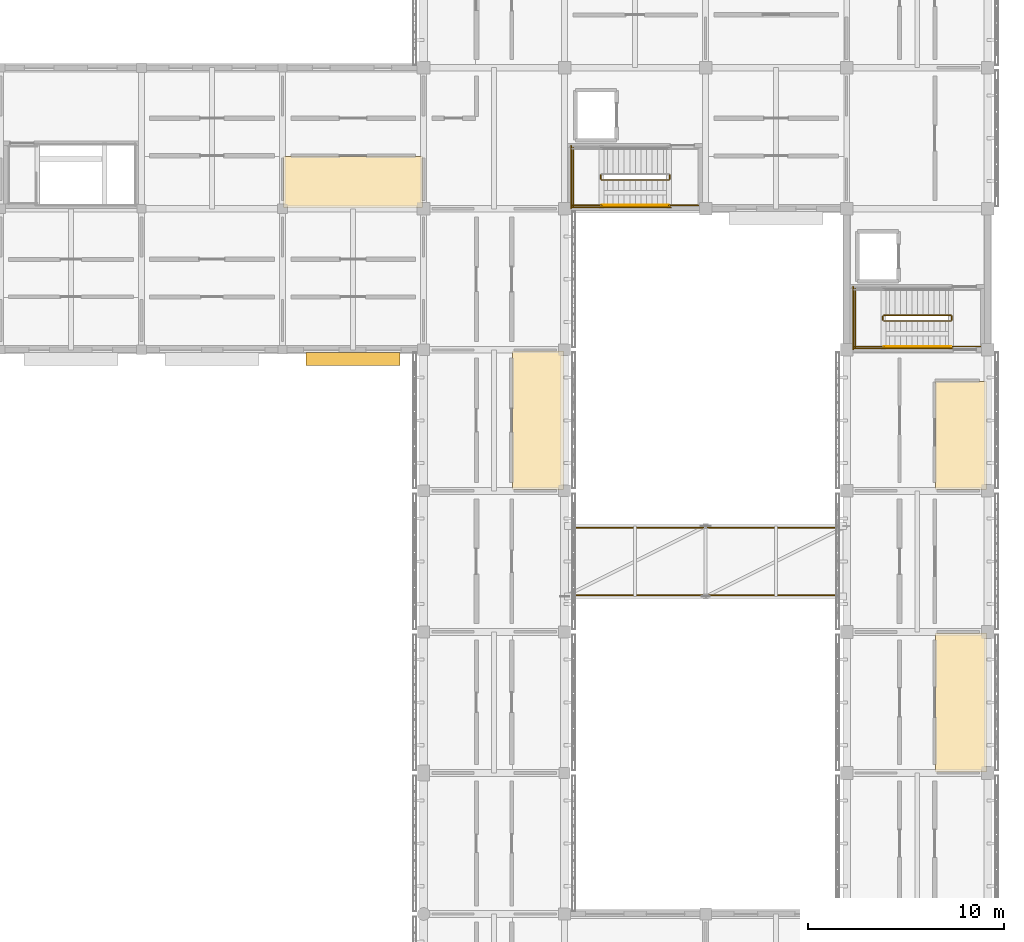
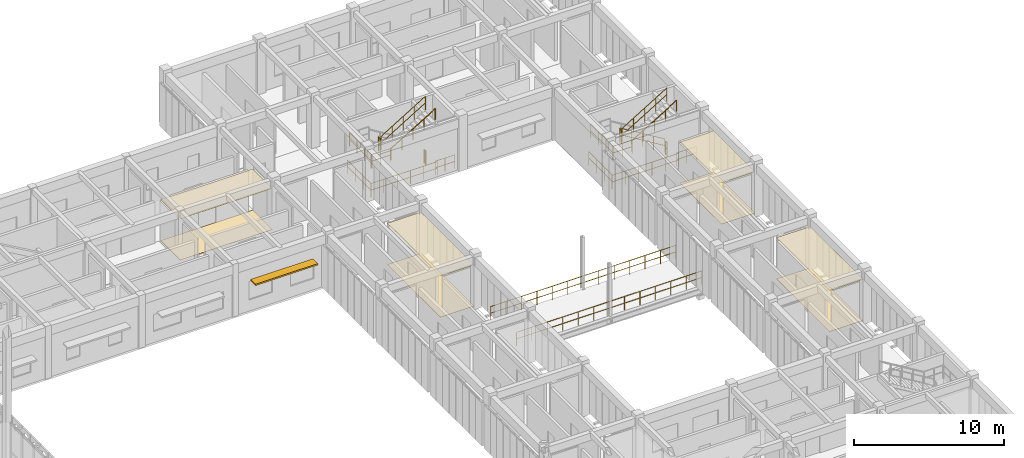
# One storey, part 170 of 171: 21 railings, 8 coverings, 1 shading device.
"""IFC4 building model written with IfcOpenShell, lengths in metres."""

from ifc_helpers import new_model, si_unit, direction, frame, origin, origin_2d, place, context, subcontext, project, spatial, polyline, rectangle, circle, outline, extrude, material, layer, layer_set, type_object, element, save


model = new_model("IFC4")

# Units and contexts
model_context = context("Model", 3, precision=1e-05, world=origin(), true_north=direction((0.0, 1.0)))
body_context = subcontext(model_context, "Body", "Model", "MODEL_VIEW")
ifc_project = project(units=[si_unit("LENGTHUNIT", "METRE"), si_unit("AREAUNIT", "SQUARE_METRE"), si_unit("VOLUMEUNIT", "CUBIC_METRE"), si_unit("PLANEANGLEUNIT", "RADIAN"), si_unit("MASSUNIT", "GRAM", prefix="KILO")], contexts=[model_context])

# Site, building, storey
site_placement = place(None, origin())
site = spatial("IfcSite", under=ifc_project, at=site_placement, CompositionType="ELEMENT")
building_placement = place(site_placement, origin())
building = spatial("IfcBuilding", under=site, at=building_placement, Name="Aldebral Square Health Centre", CompositionType="ELEMENT")
storey_placement = place(building_placement, frame((0.0, 0.0, 4.5)))
storey = spatial("IfcBuildingStorey", under=building, at=storey_placement, Name="L01", CompositionType="ELEMENT", Elevation=4.5)

# Coverings
ifc_material_1 = material(Name="Hygienic acoustic mineral ceiling tile")
ifc_layer_1 = layer(ifc_material_1, 0.02001953125, Name="Hygienic acoustic mineral ceiling tile")
ifc_layer_set_1 = layer_set([ifc_layer_1], Name="Hygienic acoustic mineral ceiling tile")
covering_type_1 = type_object("IfcCoveringType", Name="COV-CLG-AC", PredefinedType="CEILING", material=ifc_layer_set_1)
covering_1_placement = place(storey_placement, frame((0.0, 0.0, 3.340087890625)))
element("IfcCovering", 1, at=covering_1_placement, inside=storey, type_object=covering_type_1, Name="L01 Accessible WC 19.15S acoustic ceiling", PredefinedType="CEILING", context=body_context, shape_type="SweptSolid", body=[
    extrude(outline(polyline([(129.659912109375, 100.860107421875), (136.739990234375, 100.860107421875), (136.739990234375, 103.47998046875), (129.659912109375, 103.47998046875), (129.659912109375, 100.860107421875)])), origin(), (0.0, 0.0, 1.0), 0.02001953125),
])
covering_2_placement = place(storey_placement, frame((0.0, 0.0, 3.340087890625)))
element("IfcCovering", 2, at=covering_2_placement, inside=storey, type_object=covering_type_1, Name="L01 Maternal-Child Clinic 20.13E acoustic ceiling", PredefinedType="CEILING", context=body_context, shape_type="SweptSolid", body=[
    extrude(outline(polyline([(141.340087890625, 86.4599609375), (143.93994140625, 86.4599609375), (143.93994140625, 93.5400390625), (141.340087890625, 93.5400390625), (141.340087890625, 86.4599609375)])), origin(), (0.0, 0.0, 1.0), 0.02001953125),
])
covering_3_placement = place(storey_placement, frame((0.0, 0.0, 3.340087890625)))
element("IfcCovering", 3, at=covering_3_placement, inside=storey, type_object=covering_type_1, Name="L01 Patient Toilet 23.11E acoustic ceiling", PredefinedType="CEILING", context=body_context, shape_type="SweptSolid", body=[
    extrude(outline(polyline([(162.93994140625, 72.06005859375), (165.5400390625, 72.06005859375), (165.5400390625, 79.139892578125), (162.93994140625, 79.139892578125), (162.93994140625, 72.06005859375)])), origin(), (0.0, 0.0, 1.0), 0.02001953125),
])
covering_4_placement = place(storey_placement, frame((0.0, 0.0, 3.340087890625)))
element("IfcCovering", 4, at=covering_4_placement, inside=storey, type_object=covering_type_1, Name="L01 Maternal-Child Clinic 23.13E acoustic ceiling", PredefinedType="CEILING", context=body_context, shape_type="SweptSolid", body=[
    extrude(outline(polyline([(162.93994140625, 86.4599609375), (165.5400390625, 86.4599609375), (165.5400390625, 91.97998046875), (162.93994140625, 91.97998046875), (162.93994140625, 86.4599609375)])), origin(), (0.0, 0.0, 1.0), 0.02001953125),
])
ifc_material_2 = material(Name="Antimicrobial clinical vinyl flooring")
ifc_layer_2 = layer(ifc_material_2, 0.014892578125, Name="Antimicrobial clinical vinyl flooring")
ifc_layer_set_2 = layer_set([ifc_layer_2], Name="Antimicrobial clinical vinyl flooring")
covering_type_2 = type_object("IfcCoveringType", Name="COV-FLR-VN", PredefinedType="FLOORING", material=ifc_layer_set_2)
covering_5_placement = place(storey_placement, origin())
element("IfcCovering", 5, at=covering_5_placement, inside=storey, type_object=covering_type_2, Name="L01 Accessible WC 19.15S clinical flooring", PredefinedType="FLOORING", context=body_context, shape_type="SweptSolid", body=[
    extrude(outline(polyline([(129.659912109375, 100.860107421875), (136.739990234375, 100.860107421875), (136.739990234375, 103.47998046875), (129.659912109375, 103.47998046875), (129.659912109375, 100.860107421875)])), origin(), (0.0, 0.0, 1.0), 0.014892578125),
])
covering_6_placement = place(storey_placement, origin())
element("IfcCovering", 6, at=covering_6_placement, inside=storey, type_object=covering_type_2, Name="L01 Maternal-Child Clinic 20.13E clinical flooring", PredefinedType="FLOORING", context=body_context, shape_type="SweptSolid", body=[
    extrude(outline(polyline([(141.340087890625, 86.4599609375), (143.93994140625, 86.4599609375), (143.93994140625, 93.5400390625), (141.340087890625, 93.5400390625), (141.340087890625, 86.4599609375)])), origin(), (0.0, 0.0, 1.0), 0.014892578125),
])
covering_7_placement = place(storey_placement, origin())
element("IfcCovering", 7, at=covering_7_placement, inside=storey, type_object=covering_type_2, Name="L01 Patient Toilet 23.11E clinical flooring", PredefinedType="FLOORING", context=body_context, shape_type="SweptSolid", body=[
    extrude(outline(polyline([(162.93994140625, 72.06005859375), (165.5400390625, 72.06005859375), (165.5400390625, 79.139892578125), (162.93994140625, 79.139892578125), (162.93994140625, 72.06005859375)])), origin(), (0.0, 0.0, 1.0), 0.014892578125),
])
covering_8_placement = place(storey_placement, origin())
element("IfcCovering", 8, at=covering_8_placement, inside=storey, type_object=covering_type_2, Name="L01 Maternal-Child Clinic 23.13E clinical flooring", PredefinedType="FLOORING", context=body_context, shape_type="SweptSolid", body=[
    extrude(outline(polyline([(162.93994140625, 86.4599609375), (165.5400390625, 86.4599609375), (165.5400390625, 91.97998046875), (162.93994140625, 91.97998046875), (162.93994140625, 86.4599609375)])), origin(), (0.0, 0.0, 1.0), 0.014892578125),
])

# Railings
ifc_material_3 = material(Name="Cream cantera and steel balustrade", Category="steel")
railing_type_1 = type_object("IfcRailingType", Name="RL-EXT-BAL", PredefinedType="BALUSTRADE", material=ifc_material_3)
railing_1_placement = place(storey_placement, frame((144.080078125, 81.080078125, 0.0)))
element("IfcRailing", 9, at=railing_1_placement, inside=storey, type_object=railing_type_1, Name="East Light Court Bridge L01 balustrade S", PredefinedType="BALUSTRADE", context=body_context, shape_type="SweptSolid", body=[
    extrude(circle(Radius=0.02392578125, at=origin_2d()), frame((0.0, 0.0, 1.09619140625), z_axis=(1.0, 0.0, 0.0), x_axis=(0.0, 1.0, 0.0)), (0.0, 0.0, 1.0), 14.239990234375),
    extrude(circle(Radius=0.02392578125, at=origin_2d()), frame((0.0, 0.0, 0.56005859375), z_axis=(1.0, 0.0, 0.0), x_axis=(0.0, 1.0, 0.0)), (0.0, 0.0, 1.0), 14.239990234375),
    extrude(circle(Radius=0.02099609375, at=origin_2d()), origin(), (0.0, 0.0, 1.0), 1.072021484375),
    extrude(circle(Radius=0.02099609375, at=origin_2d()), frame((1.186767578125, 0.0, 0.0)), (0.0, 0.0, 1.0), 1.072021484375),
    extrude(circle(Radius=0.02099609375, at=origin_2d()), frame((2.373291015625, 0.0, 0.0)), (0.0, 0.0, 1.0), 1.072021484375),
    extrude(circle(Radius=0.02099609375, at=origin_2d()), frame((3.56005859375, 0.0, 0.0)), (0.0, 0.0, 1.0), 1.072021484375),
    extrude(circle(Radius=0.02099609375, at=origin_2d()), frame((4.74658203125, 0.0, 0.0)), (0.0, 0.0, 1.0), 1.072021484375),
    extrude(circle(Radius=0.02099609375, at=origin_2d()), frame((5.933349609375, 0.0, 0.0)), (0.0, 0.0, 1.0), 1.072021484375),
    extrude(circle(Radius=0.02099609375, at=origin_2d()), frame((7.1201171875, 0.0, 0.0)), (0.0, 0.0, 1.0), 1.072021484375),
    extrude(circle(Radius=0.02099609375, at=origin_2d()), frame((8.306640625, 0.0, 0.0)), (0.0, 0.0, 1.0), 1.072021484375),
    extrude(circle(Radius=0.02099609375, at=origin_2d()), frame((9.493408203125, 0.0, 0.0)), (0.0, 0.0, 1.0), 1.072021484375),
    extrude(circle(Radius=0.02099609375, at=origin_2d()), frame((10.679931640625, 0.0, 0.0)), (0.0, 0.0, 1.0), 1.072021484375),
    extrude(circle(Radius=0.02099609375, at=origin_2d()), frame((11.86669921875, 0.0, 0.0)), (0.0, 0.0, 1.0), 1.072021484375),
    extrude(circle(Radius=0.02099609375, at=origin_2d()), frame((13.05322265625, 0.0, 0.0)), (0.0, 0.0, 1.0), 1.072021484375),
    extrude(circle(Radius=0.02099609375, at=origin_2d()), frame((14.239990234375, 0.0, 0.0)), (0.0, 0.0, 1.0), 1.072021484375),
])
railing_2_placement = place(storey_placement, frame((144.080078125, 84.52001953125, 0.0)))
element("IfcRailing", 10, at=railing_2_placement, inside=storey, type_object=railing_type_1, Name="East Light Court Bridge L01 balustrade N", PredefinedType="BALUSTRADE", context=body_context, shape_type="SweptSolid", body=[
    extrude(circle(Radius=0.02392578125, at=origin_2d()), frame((0.0, 0.0, 1.09619140625), z_axis=(1.0, 0.0, 0.0), x_axis=(0.0, 1.0, 0.0)), (0.0, 0.0, 1.0), 14.239990234375),
    extrude(circle(Radius=0.02392578125, at=origin_2d()), frame((0.0, 0.0, 0.56005859375), z_axis=(1.0, 0.0, 0.0), x_axis=(0.0, 1.0, 0.0)), (0.0, 0.0, 1.0), 14.239990234375),
    extrude(circle(Radius=0.02099609375, at=origin_2d()), origin(), (0.0, 0.0, 1.0), 1.072021484375),
    extrude(circle(Radius=0.02099609375, at=origin_2d()), frame((1.186767578125, 0.0, 0.0)), (0.0, 0.0, 1.0), 1.072021484375),
    extrude(circle(Radius=0.02099609375, at=origin_2d()), frame((2.373291015625, 0.0, 0.0)), (0.0, 0.0, 1.0), 1.072021484375),
    extrude(circle(Radius=0.02099609375, at=origin_2d()), frame((3.56005859375, 0.0, 0.0)), (0.0, 0.0, 1.0), 1.072021484375),
    extrude(circle(Radius=0.02099609375, at=origin_2d()), frame((4.74658203125, 0.0, 0.0)), (0.0, 0.0, 1.0), 1.072021484375),
    extrude(circle(Radius=0.02099609375, at=origin_2d()), frame((5.933349609375, 0.0, 0.0)), (0.0, 0.0, 1.0), 1.072021484375),
    extrude(circle(Radius=0.02099609375, at=origin_2d()), frame((7.1201171875, 0.0, 0.0)), (0.0, 0.0, 1.0), 1.072021484375),
    extrude(circle(Radius=0.02099609375, at=origin_2d()), frame((8.306640625, 0.0, 0.0)), (0.0, 0.0, 1.0), 1.072021484375),
    extrude(circle(Radius=0.02099609375, at=origin_2d()), frame((9.493408203125, 0.0, 0.0)), (0.0, 0.0, 1.0), 1.072021484375),
    extrude(circle(Radius=0.02099609375, at=origin_2d()), frame((10.679931640625, 0.0, 0.0)), (0.0, 0.0, 1.0), 1.072021484375),
    extrude(circle(Radius=0.02099609375, at=origin_2d()), frame((11.86669921875, 0.0, 0.0)), (0.0, 0.0, 1.0), 1.072021484375),
    extrude(circle(Radius=0.02099609375, at=origin_2d()), frame((13.05322265625, 0.0, 0.0)), (0.0, 0.0, 1.0), 1.072021484375),
    extrude(circle(Radius=0.02099609375, at=origin_2d()), frame((14.239990234375, 0.0, 0.0)), (0.0, 0.0, 1.0), 1.072021484375),
])
ifc_material_4 = material(Name="Painted steel S355JR stair guard", Category="steel")
railing_type_2 = type_object("IfcRailingType", Name="RL-ST-GRD", PredefinedType="GUARDRAIL", material=ifc_material_4)
railing_3_placement = place(storey_placement, frame((163.719970703125, 95.3701171875, 0.173095703125)))
element("IfcRailing", 11, at=railing_3_placement, inside=storey, type_object=railing_type_2, Name="L01 ST-03 stair guard 1", PredefinedType="GUARDRAIL", context=body_context, shape_type="SweptSolid", body=[
    extrude(circle(Radius=0.02392578125, at=origin_2d()), frame((0.0, 0.0, 1.09619140625), z_axis=(-0.854729506542, 0.0, 0.519073665916), x_axis=(0.0, -1.0, 0.0)), (0.0, 0.0, 1.0), 4.001220703125),
    extrude(circle(Radius=0.02392578125, at=origin_2d()), frame((0.0, 0.0, 0.56005859375), z_axis=(-0.854729506542, 0.0, 0.519073665916), x_axis=(0.0, -1.0, 0.0)), (0.0, 0.0, 1.0), 4.001220703125),
    extrude(circle(Radius=0.02099609375, at=origin_2d()), origin(), (0.0, 0.0, 1.0), 1.072021484375),
    extrude(circle(Radius=0.02099609375, at=origin_2d()), frame((-0.85498046875, 0.0, 0.519287109375)), (0.0, 0.0, 1.0), 1.072021484375),
    extrude(circle(Radius=0.02099609375, at=origin_2d()), frame((-1.7099609375, 0.0, 1.03857421875)), (0.0, 0.0, 1.0), 1.072021484375),
    extrude(circle(Radius=0.02099609375, at=origin_2d()), frame((-2.56494140625, 0.0, 1.5576171875)), (0.0, 0.0, 1.0), 1.072021484375),
    extrude(circle(Radius=0.02099609375, at=origin_2d()), frame((-3.419921875, 0.0, 2.076904296875)), (0.0, 0.0, 1.0), 1.072021484375),
])
railing_4_placement = place(storey_placement, frame((160.25, 95.320068359375, 2.25)))
element("IfcRailing", 12, at=railing_4_placement, inside=storey, type_object=railing_type_2, Name="L01 ST-03 stair guard 2", PredefinedType="GUARDRAIL", context=body_context, shape_type="SweptSolid", body=[
    extrude(circle(Radius=0.02392578125, at=origin_2d()), frame((0.0, 0.0, 1.09619140625), z_axis=(0.0, -1.0, 0.0), x_axis=(1.0, 0.0, 0.0)), (0.0, 0.0, 1.0), 0.199951171875),
    extrude(circle(Radius=0.02392578125, at=origin_2d()), frame((0.0, 0.0, 0.56005859375), z_axis=(0.0, -1.0, 0.0), x_axis=(1.0, 0.0, 0.0)), (0.0, 0.0, 1.0), 0.199951171875),
    extrude(circle(Radius=0.02099609375, at=origin_2d()), origin(), (0.0, 0.0, 1.0), 1.072021484375),
    extrude(circle(Radius=0.02099609375, at=origin_2d()), frame((0.0, -0.199951171875, 0.0)), (0.0, 0.0, 1.0), 1.072021484375),
])
railing_5_placement = place(storey_placement, frame((160.300048828125, 93.77001953125, 2.25)))
element("IfcRailing", 13, at=railing_5_placement, inside=storey, type_object=railing_type_2, Name="L01 ST-03 stair guard 4", PredefinedType="GUARDRAIL", context=body_context, shape_type="SweptSolid", body=[
    extrude(circle(Radius=0.02392578125, at=origin_2d()), frame((0.0, 0.0, 1.09619140625), z_axis=(-1.0, 0.0, 0.0), x_axis=(0.0, -1.0, 0.0)), (0.0, 0.0, 1.0), 1.52001953125),
    extrude(circle(Radius=0.02392578125, at=origin_2d()), frame((0.0, 0.0, 0.56005859375), z_axis=(-1.0, 0.0, 0.0), x_axis=(0.0, -1.0, 0.0)), (0.0, 0.0, 1.0), 1.52001953125),
    extrude(circle(Radius=0.02099609375, at=origin_2d()), origin(), (0.0, 0.0, 1.0), 1.072021484375),
    extrude(circle(Radius=0.02099609375, at=origin_2d()), frame((-0.760009765625, 0.0, 0.0)), (0.0, 0.0, 1.0), 1.072021484375),
    extrude(circle(Radius=0.02099609375, at=origin_2d()), frame((-1.52001953125, 0.0, 0.0)), (0.0, 0.0, 1.0), 1.072021484375),
])
railing_6_placement = place(storey_placement, frame((158.830078125, 96.719970703125, 2.25)))
element("IfcRailing", 14, at=railing_6_placement, inside=storey, type_object=railing_type_2, Name="L01 ST-03 stair guard 5", PredefinedType="GUARDRAIL", context=body_context, shape_type="SweptSolid", body=[
    extrude(circle(Radius=0.02392578125, at=origin_2d()), frame((0.0, 0.0, 1.09619140625), z_axis=(0.0, -1.0, 0.0), x_axis=(1.0, 0.0, 0.0)), (0.0, 0.0, 1.0), 3.0),
    extrude(circle(Radius=0.02392578125, at=origin_2d()), frame((0.0, 0.0, 0.56005859375), z_axis=(0.0, -1.0, 0.0), x_axis=(1.0, 0.0, 0.0)), (0.0, 0.0, 1.0), 3.0),
    extrude(circle(Radius=0.02099609375, at=origin_2d()), origin(), (0.0, 0.0, 1.0), 1.072021484375),
    extrude(circle(Radius=0.02099609375, at=origin_2d()), frame((0.0, -1.0, 0.0)), (0.0, 0.0, 1.0), 1.072021484375),
    extrude(circle(Radius=0.02099609375, at=origin_2d()), frame((0.0, -2.0, 0.0)), (0.0, 0.0, 1.0), 1.072021484375),
    extrude(circle(Radius=0.02099609375, at=origin_2d()), frame((0.0, -3.0, 0.0)), (0.0, 0.0, 1.0), 1.072021484375),
])
railing_7_placement = place(storey_placement, frame((160.300048828125, 95.070068359375, 2.423095703125)))
element("IfcRailing", 15, at=railing_7_placement, inside=storey, type_object=railing_type_2, Name="L01 ST-03 stair guard 6", PredefinedType="GUARDRAIL", context=body_context, shape_type="SweptSolid", body=[
    extrude(circle(Radius=0.02392578125, at=origin_2d()), frame((0.0, 0.0, 1.09619140625), z_axis=(0.854729506542, 0.0, 0.519073665916), x_axis=(0.0, 1.0, 0.0)), (0.0, 0.0, 1.0), 4.001220703125),
    extrude(circle(Radius=0.02392578125, at=origin_2d()), frame((0.0, 0.0, 0.56005859375), z_axis=(0.854729506542, 0.0, 0.519073665916), x_axis=(0.0, 1.0, 0.0)), (0.0, 0.0, 1.0), 4.001220703125),
    extrude(circle(Radius=0.02099609375, at=origin_2d()), origin(), (0.0, 0.0, 1.0), 1.072021484375),
    extrude(circle(Radius=0.02099609375, at=origin_2d()), frame((0.85498046875, 0.0, 0.519287109375)), (0.0, 0.0, 1.0), 1.072021484375),
    extrude(circle(Radius=0.02099609375, at=origin_2d()), frame((1.7099609375, 0.0, 1.03857421875)), (0.0, 0.0, 1.0), 1.072021484375),
    extrude(circle(Radius=0.02099609375, at=origin_2d()), frame((2.56494140625, 0.0, 1.5576171875)), (0.0, 0.0, 1.0), 1.072021484375),
    extrude(circle(Radius=0.02099609375, at=origin_2d()), frame((3.419921875, 0.0, 2.076904296875)), (0.0, 0.0, 1.0), 1.072021484375),
])
railing_8_placement = place(storey_placement, frame((163.77001953125, 95.320068359375, 0.0)))
element("IfcRailing", 16, at=railing_8_placement, inside=storey, type_object=railing_type_2, Name="L01 ST-03 stair guard 7", PredefinedType="GUARDRAIL", context=body_context, shape_type="SweptSolid", body=[
    extrude(circle(Radius=0.02392578125, at=origin_2d()), frame((0.0, 0.0, 1.09619140625), z_axis=(0.0, -1.0, 0.0), x_axis=(1.0, 0.0, 0.0)), (0.0, 0.0, 1.0), 0.199951171875),
    extrude(circle(Radius=0.02392578125, at=origin_2d()), frame((0.0, 0.0, 0.56005859375), z_axis=(0.0, -1.0, 0.0), x_axis=(1.0, 0.0, 0.0)), (0.0, 0.0, 1.0), 0.199951171875),
    extrude(circle(Radius=0.02099609375, at=origin_2d()), origin(), (0.0, 0.0, 1.0), 1.072021484375),
    extrude(circle(Radius=0.02099609375, at=origin_2d()), frame((0.0, -0.199951171875, 0.0)), (0.0, 0.0, 1.0), 1.072021484375),
])
railing_9_placement = place(storey_placement, frame((165.219970703125, 93.77001953125, 0.0)))
element("IfcRailing", 17, at=railing_9_placement, inside=storey, type_object=railing_type_2, Name="L01 ST-03 stair guard 9", PredefinedType="GUARDRAIL", context=body_context, shape_type="SweptSolid", body=[
    extrude(circle(Radius=0.02392578125, at=origin_2d()), frame((0.0, 0.0, 1.09619140625), z_axis=(-1.0, 0.0, 0.0), x_axis=(0.0, -1.0, 0.0)), (0.0, 0.0, 1.0), 1.5),
    extrude(circle(Radius=0.02392578125, at=origin_2d()), frame((0.0, 0.0, 0.56005859375), z_axis=(-1.0, 0.0, 0.0), x_axis=(0.0, -1.0, 0.0)), (0.0, 0.0, 1.0), 1.5),
    extrude(circle(Radius=0.02099609375, at=origin_2d()), origin(), (0.0, 0.0, 1.0), 1.072021484375),
    extrude(circle(Radius=0.02099609375, at=origin_2d()), frame((-0.75, 0.0, 0.0)), (0.0, 0.0, 1.0), 1.072021484375),
    extrude(circle(Radius=0.02099609375, at=origin_2d()), frame((-1.5, 0.0, 0.0)), (0.0, 0.0, 1.0), 1.072021484375),
])
railing_10_placement = place(storey_placement, frame((163.820068359375, 93.669921875, 0.0)))
element("IfcRailing", 18, at=railing_10_placement, inside=storey, type_object=railing_type_2, Name="L01 ST-03 stair guard 11", PredefinedType="GUARDRAIL", context=body_context, shape_type="SweptSolid", body=[
    extrude(circle(Radius=0.02392578125, at=origin_2d()), frame((0.0, 0.0, 1.09619140625), z_axis=(-1.0, 0.0, 0.0), x_axis=(0.0, -1.0, 0.0)), (0.0, 0.0, 1.0), 5.14013671875),
    extrude(circle(Radius=0.02392578125, at=origin_2d()), frame((0.0, 0.0, 0.56005859375), z_axis=(-1.0, 0.0, 0.0), x_axis=(0.0, -1.0, 0.0)), (0.0, 0.0, 1.0), 5.14013671875),
    extrude(circle(Radius=0.02099609375, at=origin_2d()), origin(), (0.0, 0.0, 1.0), 1.072021484375),
    extrude(circle(Radius=0.02099609375, at=origin_2d()), frame((-1.028076171875, 0.0, 0.0)), (0.0, 0.0, 1.0), 1.072021484375),
    extrude(circle(Radius=0.02099609375, at=origin_2d()), frame((-2.05615234375, 0.0, 0.0)), (0.0, 0.0, 1.0), 1.072021484375),
    extrude(circle(Radius=0.02099609375, at=origin_2d()), frame((-3.083984375, 0.0, 0.0)), (0.0, 0.0, 1.0), 1.072021484375),
    extrude(circle(Radius=0.02099609375, at=origin_2d()), frame((-4.112060546875, 0.0, 0.0)), (0.0, 0.0, 1.0), 1.072021484375),
    extrude(circle(Radius=0.02099609375, at=origin_2d()), frame((-5.14013671875, 0.0, 0.0)), (0.0, 0.0, 1.0), 1.072021484375),
])
railing_11_placement = place(storey_placement, frame((158.72998046875, 96.820068359375, 0.0)))
element("IfcRailing", 19, at=railing_11_placement, inside=storey, type_object=railing_type_2, Name="L01 ST-03 stair guard 12", PredefinedType="GUARDRAIL", context=body_context, shape_type="SweptSolid", body=[
    extrude(circle(Radius=0.02392578125, at=origin_2d()), frame((0.0, 0.0, 1.09619140625), z_axis=(0.0, -1.0, 0.0), x_axis=(1.0, 0.0, 0.0)), (0.0, 0.0, 1.0), 3.199951171875),
    extrude(circle(Radius=0.02392578125, at=origin_2d()), frame((0.0, 0.0, 0.56005859375), z_axis=(0.0, -1.0, 0.0), x_axis=(1.0, 0.0, 0.0)), (0.0, 0.0, 1.0), 3.199951171875),
    extrude(circle(Radius=0.02099609375, at=origin_2d()), origin(), (0.0, 0.0, 1.0), 1.072021484375),
    extrude(circle(Radius=0.02099609375, at=origin_2d()), frame((0.0, -1.066650390625, 0.0)), (0.0, 0.0, 1.0), 1.072021484375),
    extrude(circle(Radius=0.02099609375, at=origin_2d()), frame((0.0, -2.13330078125, 0.0)), (0.0, 0.0, 1.0), 1.072021484375),
    extrude(circle(Radius=0.02099609375, at=origin_2d()), frame((0.0, -3.199951171875, 0.0)), (0.0, 0.0, 1.0), 1.072021484375),
])
railing_12_placement = place(storey_placement, frame((145.85009765625, 102.52001953125, 2.25)))
element("IfcRailing", 20, at=railing_12_placement, inside=storey, type_object=railing_type_2, Name="L01 ST-04 stair guard 2", PredefinedType="GUARDRAIL", context=body_context, shape_type="SweptSolid", body=[
    extrude(circle(Radius=0.02392578125, at=origin_2d()), frame((0.0, 0.0, 1.09619140625), z_axis=(0.0, -1.0, 0.0), x_axis=(1.0, 0.0, 0.0)), (0.0, 0.0, 1.0), 0.199951171875),
    extrude(circle(Radius=0.02392578125, at=origin_2d()), frame((0.0, 0.0, 0.56005859375), z_axis=(0.0, -1.0, 0.0), x_axis=(1.0, 0.0, 0.0)), (0.0, 0.0, 1.0), 0.199951171875),
    extrude(circle(Radius=0.02099609375, at=origin_2d()), origin(), (0.0, 0.0, 1.0), 1.072021484375),
    extrude(circle(Radius=0.02099609375, at=origin_2d()), frame((0.0, -0.199951171875, 0.0)), (0.0, 0.0, 1.0), 1.072021484375),
])
railing_13_placement = place(storey_placement, frame((145.89990234375, 100.969970703125, 2.25)))
element("IfcRailing", 21, at=railing_13_placement, inside=storey, type_object=railing_type_2, Name="L01 ST-04 stair guard 4", PredefinedType="GUARDRAIL", context=body_context, shape_type="SweptSolid", body=[
    extrude(circle(Radius=0.02392578125, at=origin_2d()), frame((0.0, 0.0, 1.09619140625), z_axis=(-1.0, 0.0, 0.0), x_axis=(0.0, -1.0, 0.0)), (0.0, 0.0, 1.0), 1.52001953125),
    extrude(circle(Radius=0.02392578125, at=origin_2d()), frame((0.0, 0.0, 0.56005859375), z_axis=(-1.0, 0.0, 0.0), x_axis=(0.0, -1.0, 0.0)), (0.0, 0.0, 1.0), 1.52001953125),
    extrude(circle(Radius=0.02099609375, at=origin_2d()), origin(), (0.0, 0.0, 1.0), 1.072021484375),
    extrude(circle(Radius=0.02099609375, at=origin_2d()), frame((-0.760009765625, 0.0, 0.0)), (0.0, 0.0, 1.0), 1.072021484375),
    extrude(circle(Radius=0.02099609375, at=origin_2d()), frame((-1.52001953125, 0.0, 0.0)), (0.0, 0.0, 1.0), 1.072021484375),
])
railing_14_placement = place(storey_placement, frame((144.429931640625, 103.919921875, 2.25)))
element("IfcRailing", 22, at=railing_14_placement, inside=storey, type_object=railing_type_2, Name="L01 ST-04 stair guard 5", PredefinedType="GUARDRAIL", context=body_context, shape_type="SweptSolid", body=[
    extrude(circle(Radius=0.02392578125, at=origin_2d()), frame((0.0, 0.0, 1.09619140625), z_axis=(0.0, -1.0, 0.0), x_axis=(1.0, 0.0, 0.0)), (0.0, 0.0, 1.0), 3.0),
    extrude(circle(Radius=0.02392578125, at=origin_2d()), frame((0.0, 0.0, 0.56005859375), z_axis=(0.0, -1.0, 0.0), x_axis=(1.0, 0.0, 0.0)), (0.0, 0.0, 1.0), 3.0),
    extrude(circle(Radius=0.02099609375, at=origin_2d()), origin(), (0.0, 0.0, 1.0), 1.072021484375),
    extrude(circle(Radius=0.02099609375, at=origin_2d()), frame((0.0, -1.0, 0.0)), (0.0, 0.0, 1.0), 1.072021484375),
    extrude(circle(Radius=0.02099609375, at=origin_2d()), frame((0.0, -2.0, 0.0)), (0.0, 0.0, 1.0), 1.072021484375),
    extrude(circle(Radius=0.02099609375, at=origin_2d()), frame((0.0, -3.0, 0.0)), (0.0, 0.0, 1.0), 1.072021484375),
])
railing_15_placement = place(storey_placement, frame((145.89990234375, 102.27001953125, 2.423095703125)))
element("IfcRailing", 23, at=railing_15_placement, inside=storey, type_object=railing_type_2, Name="L01 ST-04 stair guard 6", PredefinedType="GUARDRAIL", context=body_context, shape_type="SweptSolid", body=[
    extrude(circle(Radius=0.02392578125, at=origin_2d()), frame((0.0, 0.0, 1.09619140625), z_axis=(0.854745945586, 0.0, 0.519046595696), x_axis=(0.0, 1.0, 0.0)), (0.0, 0.0, 1.0), 4.00146484375),
    extrude(circle(Radius=0.02392578125, at=origin_2d()), frame((0.0, 0.0, 0.56005859375), z_axis=(0.854745945586, 0.0, 0.519046595696), x_axis=(0.0, 1.0, 0.0)), (0.0, 0.0, 1.0), 4.00146484375),
    extrude(circle(Radius=0.02099609375, at=origin_2d()), origin(), (0.0, 0.0, 1.0), 1.072021484375),
    extrude(circle(Radius=0.02099609375, at=origin_2d()), frame((0.85498046875, 0.0, 0.519287109375)), (0.0, 0.0, 1.0), 1.072021484375),
    extrude(circle(Radius=0.02099609375, at=origin_2d()), frame((1.7099609375, 0.0, 1.03857421875)), (0.0, 0.0, 1.0), 1.072021484375),
    extrude(circle(Radius=0.02099609375, at=origin_2d()), frame((2.565185546875, 0.0, 1.5576171875)), (0.0, 0.0, 1.0), 1.072021484375),
    extrude(circle(Radius=0.02099609375, at=origin_2d()), frame((3.420166015625, 0.0, 2.076904296875)), (0.0, 0.0, 1.0), 1.072021484375),
])
railing_16_placement = place(storey_placement, frame((149.3701171875, 102.52001953125, 0.0)))
element("IfcRailing", 24, at=railing_16_placement, inside=storey, type_object=railing_type_2, Name="L01 ST-04 stair guard 7", PredefinedType="GUARDRAIL", context=body_context, shape_type="SweptSolid", body=[
    extrude(circle(Radius=0.02392578125, at=origin_2d()), frame((0.0, 0.0, 1.09619140625), z_axis=(0.0, -1.0, 0.0), x_axis=(1.0, 0.0, 0.0)), (0.0, 0.0, 1.0), 0.199951171875),
    extrude(circle(Radius=0.02392578125, at=origin_2d()), frame((0.0, 0.0, 0.56005859375), z_axis=(0.0, -1.0, 0.0), x_axis=(1.0, 0.0, 0.0)), (0.0, 0.0, 1.0), 0.199951171875),
    extrude(circle(Radius=0.02099609375, at=origin_2d()), origin(), (0.0, 0.0, 1.0), 1.072021484375),
    extrude(circle(Radius=0.02099609375, at=origin_2d()), frame((0.0, -0.199951171875, 0.0)), (0.0, 0.0, 1.0), 1.072021484375),
])
railing_17_placement = place(storey_placement, frame((150.820068359375, 100.969970703125, 0.0)))
element("IfcRailing", 25, at=railing_17_placement, inside=storey, type_object=railing_type_2, Name="L01 ST-04 stair guard 9", PredefinedType="GUARDRAIL", context=body_context, shape_type="SweptSolid", body=[
    extrude(circle(Radius=0.02392578125, at=origin_2d()), frame((0.0, 0.0, 1.09619140625), z_axis=(-1.0, 0.0, 0.0), x_axis=(0.0, -1.0, 0.0)), (0.0, 0.0, 1.0), 1.5),
    extrude(circle(Radius=0.02392578125, at=origin_2d()), frame((0.0, 0.0, 0.56005859375), z_axis=(-1.0, 0.0, 0.0), x_axis=(0.0, -1.0, 0.0)), (0.0, 0.0, 1.0), 1.5),
    extrude(circle(Radius=0.02099609375, at=origin_2d()), origin(), (0.0, 0.0, 1.0), 1.072021484375),
    extrude(circle(Radius=0.02099609375, at=origin_2d()), frame((-0.75, 0.0, 0.0)), (0.0, 0.0, 1.0), 1.072021484375),
    extrude(circle(Radius=0.02099609375, at=origin_2d()), frame((-1.5, 0.0, 0.0)), (0.0, 0.0, 1.0), 1.072021484375),
])
railing_18_placement = place(storey_placement, frame((149.419921875, 100.8701171875, 0.0)))
element("IfcRailing", 26, at=railing_18_placement, inside=storey, type_object=railing_type_2, Name="L01 ST-04 stair guard 11", PredefinedType="GUARDRAIL", context=body_context, shape_type="SweptSolid", body=[
    extrude(circle(Radius=0.02392578125, at=origin_2d()), frame((0.0, 0.0, 1.09619140625), z_axis=(-1.0, 0.0, 0.0), x_axis=(0.0, -1.0, 0.0)), (0.0, 0.0, 1.0), 5.139892578125),
    extrude(circle(Radius=0.02392578125, at=origin_2d()), frame((0.0, 0.0, 0.56005859375), z_axis=(-1.0, 0.0, 0.0), x_axis=(0.0, -1.0, 0.0)), (0.0, 0.0, 1.0), 5.139892578125),
    extrude(circle(Radius=0.02099609375, at=origin_2d()), origin(), (0.0, 0.0, 1.0), 1.072021484375),
    extrude(circle(Radius=0.02099609375, at=origin_2d()), frame((-1.028076171875, 0.0, 0.0)), (0.0, 0.0, 1.0), 1.072021484375),
    extrude(circle(Radius=0.02099609375, at=origin_2d()), frame((-2.055908203125, 0.0, 0.0)), (0.0, 0.0, 1.0), 1.072021484375),
    extrude(circle(Radius=0.02099609375, at=origin_2d()), frame((-3.083984375, 0.0, 0.0)), (0.0, 0.0, 1.0), 1.072021484375),
    extrude(circle(Radius=0.02099609375, at=origin_2d()), frame((-4.11181640625, 0.0, 0.0)), (0.0, 0.0, 1.0), 1.072021484375),
    extrude(circle(Radius=0.02099609375, at=origin_2d()), frame((-5.139892578125, 0.0, 0.0)), (0.0, 0.0, 1.0), 1.072021484375),
])
railing_19_placement = place(storey_placement, frame((144.330078125, 104.02001953125, 0.0)))
element("IfcRailing", 27, at=railing_19_placement, inside=storey, type_object=railing_type_2, Name="L01 ST-04 stair guard 12", PredefinedType="GUARDRAIL", context=body_context, shape_type="SweptSolid", body=[
    extrude(circle(Radius=0.02392578125, at=origin_2d()), frame((0.0, 0.0, 1.09619140625), z_axis=(0.0, -1.0, 0.0), x_axis=(1.0, 0.0, 0.0)), (0.0, 0.0, 1.0), 3.199951171875),
    extrude(circle(Radius=0.02392578125, at=origin_2d()), frame((0.0, 0.0, 0.56005859375), z_axis=(0.0, -1.0, 0.0), x_axis=(1.0, 0.0, 0.0)), (0.0, 0.0, 1.0), 3.199951171875),
    extrude(circle(Radius=0.02099609375, at=origin_2d()), origin(), (0.0, 0.0, 1.0), 1.072021484375),
    extrude(circle(Radius=0.02099609375, at=origin_2d()), frame((0.0, -1.066650390625, 0.0)), (0.0, 0.0, 1.0), 1.072021484375),
    extrude(circle(Radius=0.02099609375, at=origin_2d()), frame((0.0, -2.13330078125, 0.0)), (0.0, 0.0, 1.0), 1.072021484375),
    extrude(circle(Radius=0.02099609375, at=origin_2d()), frame((0.0, -3.199951171875, 0.0)), (0.0, 0.0, 1.0), 1.072021484375),
])
ifc_material_5 = material(Name="Brushed stainless steel handrail", Category="steel")
railing_type_3 = type_object("IfcRailingType", Name="RL-ST-HND", PredefinedType="HANDRAIL", material=ifc_material_5)
railing_20_placement = place(storey_placement, frame((160.300048828125, 93.77001953125, 2.423095703125)))
element("IfcRailing", 28, at=railing_20_placement, inside=storey, type_object=railing_type_3, Name="L01 ST-03 stair handrail 2", PredefinedType="HANDRAIL", context=body_context, shape_type="SweptSolid", body=[
    extrude(circle(Radius=0.02392578125, at=origin_2d()), frame((0.0, 0.0, 0.8759765625), z_axis=(0.854729506542, 0.0, 0.519073665916), x_axis=(0.0, 1.0, 0.0)), (0.0, 0.0, 1.0), 4.001220703125),
    extrude(circle(Radius=0.02099609375, at=origin_2d()), origin(), (0.0, 0.0, 1.0), 0.851806640625),
    extrude(circle(Radius=0.02099609375, at=origin_2d()), frame((0.85498046875, 0.0, 0.519287109375)), (0.0, 0.0, 1.0), 0.851806640625),
    extrude(circle(Radius=0.02099609375, at=origin_2d()), frame((1.7099609375, 0.0, 1.03857421875)), (0.0, 0.0, 1.0), 0.851806640625),
    extrude(circle(Radius=0.02099609375, at=origin_2d()), frame((2.56494140625, 0.0, 1.5576171875)), (0.0, 0.0, 1.0), 0.851806640625),
    extrude(circle(Radius=0.02099609375, at=origin_2d()), frame((3.419921875, 0.0, 2.076904296875)), (0.0, 0.0, 1.0), 0.851806640625),
])
railing_21_placement = place(storey_placement, frame((145.89990234375, 100.969970703125, 2.423095703125)))
element("IfcRailing", 29, at=railing_21_placement, inside=storey, type_object=railing_type_3, Name="L01 ST-04 stair handrail 2", PredefinedType="HANDRAIL", context=body_context, shape_type="SweptSolid", body=[
    extrude(circle(Radius=0.02392578125, at=origin_2d()), frame((0.0, 0.0, 0.8759765625), z_axis=(0.854745945586, 0.0, 0.519046595696), x_axis=(0.0, 1.0, 0.0)), (0.0, 0.0, 1.0), 4.00146484375),
    extrude(circle(Radius=0.02099609375, at=origin_2d()), origin(), (0.0, 0.0, 1.0), 0.851806640625),
    extrude(circle(Radius=0.02099609375, at=origin_2d()), frame((0.85498046875, 0.0, 0.519287109375)), (0.0, 0.0, 1.0), 0.851806640625),
    extrude(circle(Radius=0.02099609375, at=origin_2d()), frame((1.7099609375, 0.0, 1.03857421875)), (0.0, 0.0, 1.0), 0.851806640625),
    extrude(circle(Radius=0.02099609375, at=origin_2d()), frame((2.565185546875, 0.0, 1.5576171875)), (0.0, 0.0, 1.0), 0.851806640625),
    extrude(circle(Radius=0.02099609375, at=origin_2d()), frame((3.420166015625, 0.0, 2.076904296875)), (0.0, 0.0, 1.0), 0.851806640625),
])

# Shading device
ifc_material_6 = material(Name="Sienna-terracotta solar hood", Category="masonry")
shading_device_type = type_object("IfcShadingDeviceType", Name="SHD-LVR-1", PredefinedType="JALOUSIE", material=ifc_material_6)
shading_device_placement = place(storey_placement, frame((133.199951171875, 93.135009765625, 2.419921875), z_axis=(0.0, 0.0, 1.0), x_axis=(1.0, 0.0, 0.0)))
element("IfcShadingDevice", 30, at=shading_device_placement, inside=storey, type_object=shading_device_type, Name="L01 solar hood L01-V5-18-13-S", PredefinedType="JALOUSIE", context=body_context, shape_type="SweptSolid", body=[
    extrude(rectangle(XDim=4.800048828125, YDim=0.64990234375, at=origin_2d()), origin(), (0.0, 0.0, 1.0), 0.1201171875),
])

save(model, "model.ifc")
